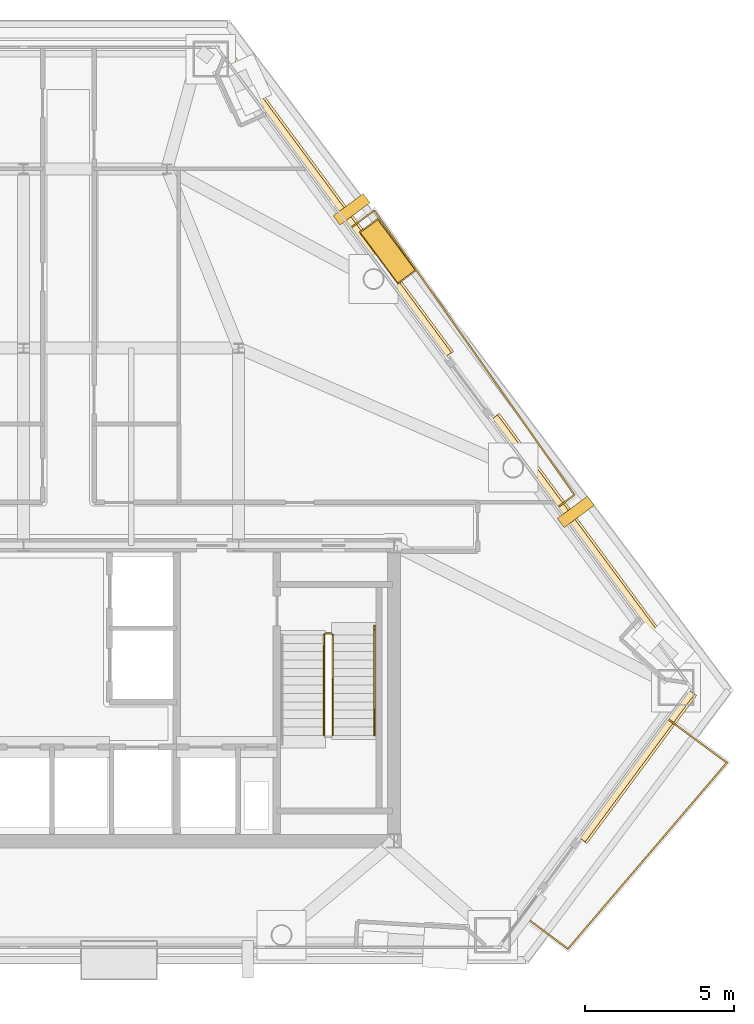
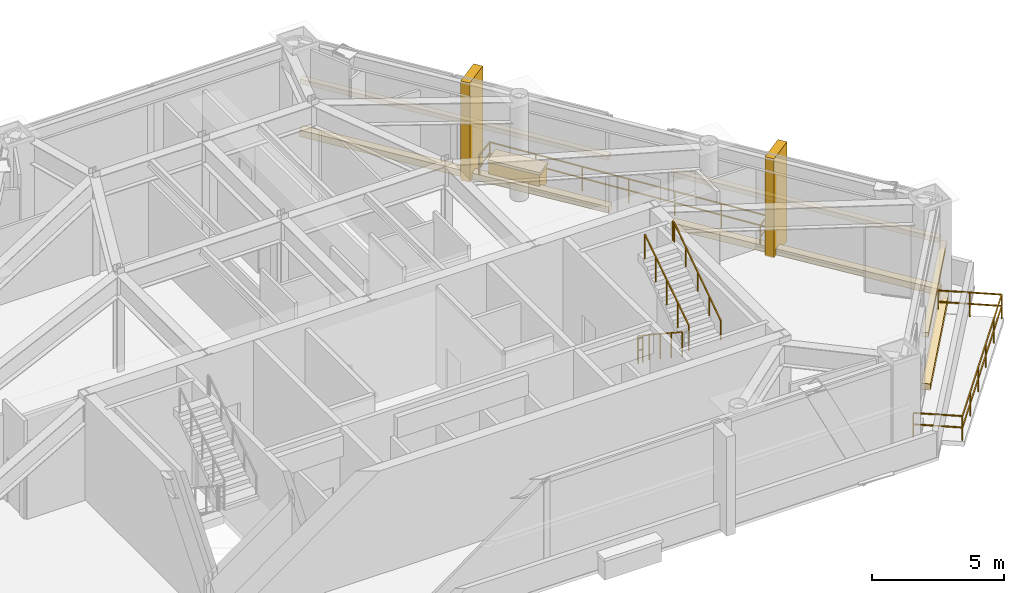
# One storey, part 9 of 9: 10 coverings, 6 railings.
"""IFC4 building model written with IfcOpenShell, lengths in metres."""

from ifc_helpers import new_model, si_unit, direction, frame, origin, origin_2d, place, context, subcontext, project, spatial, rectangle, extrude, material, layer, layer_set, type_object, element, save


model = new_model("IFC4")

# Units and contexts
model_context = context("Model", 3, precision=1e-05, world=origin(), true_north=direction((0.0, 1.0)))
body_context = subcontext(model_context, "Body", "Model", "MODEL_VIEW")
ifc_project = project(units=[si_unit("LENGTHUNIT", "METRE"), si_unit("AREAUNIT", "SQUARE_METRE"), si_unit("VOLUMEUNIT", "CUBIC_METRE"), si_unit("PLANEANGLEUNIT", "RADIAN"), si_unit("MASSUNIT", "GRAM", prefix="KILO")], contexts=[model_context])

# Site, building, storey
site_placement = place(None, origin())
site = spatial("IfcSite", under=ifc_project, at=site_placement, CompositionType="ELEMENT")
building_placement = place(site_placement, origin())
building = spatial("IfcBuilding", under=site, at=building_placement, Name="Talgorran Terracotta Tower", CompositionType="ELEMENT")
storey_placement = place(building_placement, frame((0.0, 0.0, 94.800048828125)))
storey = spatial("IfcBuildingStorey", under=building, at=storey_placement, Name="L24", CompositionType="ELEMENT", Elevation=94.800048828125)

# Coverings
ifc_material_1 = material(Name="Kiln-Fired Terracotta Ochre Ceramic", Category="masonry")
ifc_layer_1 = layer(ifc_material_1, 0.179931640625, Name="COV_BAGUETTE_TERRACOTTA_SCREEN")
ifc_layer_set_1 = layer_set([ifc_layer_1], Name="Kiln-Fired Terracotta Ochre Ceramic")
covering_type_1 = type_object("IfcCoveringType", Name="COV_BAGUETTE_TERRACOTTA_SCREEN", PredefinedType="CLADDING", material=ifc_layer_set_1)
covering_1_placement = place(storey_placement, frame((20.526611328125, -11.58056640625, 2.41015625), z_axis=(0.0, 0.0, 1.0), x_axis=(0.595173478841, 0.803597243702, 0.0)))
element("IfcCovering", 1, at=covering_1_placement, inside=storey, type_object=covering_type_1, Name="L24 Terracotta Baguette Solar Screen Assembly F31", PredefinedType="CLADDING", context=body_context, shape_type="SweptSolid", body=[
    extrude(rectangle(XDim=6.150390625, YDim=0.260009765625, at=origin_2d()), origin(), (0.0, 0.0, 1.0), 0.219970703125),
])
covering_2_placement = place(storey_placement, frame((19.060791015625, -4.363525390625, 2.41015625), z_axis=(0.0, 0.0, 1.0), x_axis=(-0.595173478841, 0.803597243702, 0.0)))
element("IfcCovering", 2, at=covering_2_placement, inside=storey, type_object=covering_type_1, Name="L24 Terracotta Baguette Solar Screen Assembly F40", PredefinedType="CLADDING", context=body_context, shape_type="SweptSolid", body=[
    extrude(rectangle(XDim=11.0751953125, YDim=0.260009765625, at=origin_2d()), origin(), (0.0, 0.0, 1.0), 0.219970703125),
])
covering_3_placement = place(storey_placement, frame((10.414306640625, 7.310791015625, 2.41015625), z_axis=(0.0, 0.0, 1.0), x_axis=(-0.595173478841, 0.803597243702, 0.0)))
element("IfcCovering", 3, at=covering_3_placement, inside=storey, type_object=covering_type_1, Name="L24 Terracotta Baguette Solar Screen Assembly F41", PredefinedType="CLADDING", context=body_context, shape_type="SweptSolid", body=[
    extrude(rectangle(XDim=12.780517578125, YDim=0.260009765625, at=origin_2d()), origin(), (0.0, 0.0, 1.0), 0.219970703125),
])
ifc_material_2 = material(Name="Honed Limestone and Terracotta Planter", Category="masonry")
ifc_layer_2 = layer(ifc_material_2, 0.1201171875, Name="COV_PLANTER_BOX")
ifc_layer_set_2 = layer_set([ifc_layer_2], Name="Honed Limestone and Terracotta Planter")
covering_type_2 = type_object("IfcCoveringType", Name="COV_PLANTER_BOX", PredefinedType="CLADDING", material=ifc_layer_set_2)
covering_4_placement = place(storey_placement, frame((12.1923828125, 5.640869140625, -0.02001953125), z_axis=(0.0, 0.0, 1.0), x_axis=(-0.595173478841, 0.803597243702, 0.0)))
element("IfcCovering", 4, at=covering_4_placement, inside=storey, type_object=covering_type_2, Name="L24 Staggered Balcony Planter Box BAL-NE", PredefinedType="CLADDING", context=body_context, shape_type="SweptSolid", body=[
    extrude(rectangle(XDim=2.10009765625, YDim=0.719970703125, at=origin_2d()), origin(), (0.0, 0.0, 1.0), 0.860107421875),
])
ifc_material_3 = material(Name="Kiln-Fired Terracotta Planter Rim", Category="masonry")
ifc_layer_3 = layer(ifc_material_3, 0.10009765625, Name="COV_PLANTER_RIM")
ifc_layer_set_3 = layer_set([ifc_layer_3], Name="Kiln-Fired Terracotta Planter Rim")
covering_type_3 = type_object("IfcCoveringType", Name="COV_PLANTER_RIM", PredefinedType="CLADDING", material=ifc_layer_set_3)
covering_5_placement = place(storey_placement, frame((12.1923828125, 5.640869140625, 0.7998046875), z_axis=(0.0, 0.0, 1.0), x_axis=(-0.595173478841, 0.803597243702, 0.0)))
element("IfcCovering", 5, at=covering_5_placement, inside=storey, type_object=covering_type_3, Name="L24 Balcony Planter Terracotta Rim BAL-NE", PredefinedType="CLADDING", context=body_context, shape_type="SweptSolid", body=[
    extrude(rectangle(XDim=2.179931640625, YDim=0.780029296875, at=origin_2d()), origin(), (0.0, 0.0, 1.0), 0.1201171875),
])
ifc_material_4 = material(Name="Honed Limestone Cladding", Category="masonry")
ifc_layer_4 = layer(ifc_material_4, 0.094970703125, Name="COV_PORTAL_LIME")
ifc_layer_set_4 = layer_set([ifc_layer_4], Name="Honed Limestone Cladding")
covering_type_4 = type_object("IfcCoveringType", Name="COV_PORTAL_LIME", PredefinedType="CLADDING", material=ifc_layer_set_4)
covering_6_placement = place(storey_placement, frame((20.55859375, -11.6044921875, -0.0400390625), z_axis=(0.0, 0.0, 1.0), x_axis=(0.595173478841, 0.803597243702, 0.0)))
element("IfcCovering", 6, at=covering_6_placement, inside=storey, type_object=covering_type_4, Name="L24 Striped Postmodern Portal Cladding Band F31", PredefinedType="CLADDING", context=body_context, shape_type="SweptSolid", body=[
    extrude(rectangle(XDim=6.17041015625, YDim=0.340087890625, at=origin_2d()), origin(), (0.0, 0.0, 1.0), 0.300048828125),
])
covering_7_placement = place(storey_placement, frame((19.093017578125, -4.33984375, -0.0400390625), z_axis=(0.0, 0.0, 1.0), x_axis=(-0.595173478841, 0.803597243702, 0.0)))
element("IfcCovering", 7, at=covering_7_placement, inside=storey, type_object=covering_type_4, Name="L24 Striped Postmodern Portal Cladding Band F40", PredefinedType="CLADDING", context=body_context, shape_type="SweptSolid", body=[
    extrude(rectangle(XDim=11.09521484375, YDim=0.340087890625, at=origin_2d()), origin(), (0.0, 0.0, 1.0), 0.300048828125),
])
covering_8_placement = place(storey_placement, frame((10.4462890625, 7.334716796875, -0.0400390625), z_axis=(0.0, 0.0, 1.0), x_axis=(-0.595173478841, 0.803597243702, 0.0)))
element("IfcCovering", 8, at=covering_8_placement, inside=storey, type_object=covering_type_4, Name="L24 Striped Postmodern Portal Cladding Band F41", PredefinedType="CLADDING", context=body_context, shape_type="SweptSolid", body=[
    extrude(rectangle(XDim=12.80029296875, YDim=0.340087890625, at=origin_2d()), origin(), (0.0, 0.0, 1.0), 0.300048828125),
])
covering_9_placement = place(storey_placement, frame((10.9814453125, 7.049072265625, -0.050048828125), z_axis=(0.0, 0.0, 1.0), x_axis=(-0.595173478841, 0.803597243702, 0.0)))
element("IfcCovering", 9, at=covering_9_placement, inside=storey, type_object=covering_type_4, Name="L24 White Striped Portal Fin F3-2", PredefinedType="CLADDING", context=body_context, shape_type="SweptSolid", body=[
    extrude(rectangle(XDim=0.3798828125, YDim=1.25, at=origin_2d()), origin(), (0.0, 0.0, 1.0), 4.60009765625),
])
ifc_material_5 = material(Name="Kiln-Fired Terracotta Cladding", Category="masonry")
ifc_layer_5 = layer(ifc_material_5, 0.090087890625, Name="COV_PORTAL_TERRA")
ifc_layer_set_5 = layer_set([ifc_layer_5], Name="Kiln-Fired Terracotta Cladding")
covering_type_5 = type_object("IfcCoveringType", Name="COV_PORTAL_TERRA", PredefinedType="CLADDING", material=ifc_layer_set_5)
covering_10_placement = place(storey_placement, frame((18.485107421875, -3.08251953125, -0.050048828125), z_axis=(0.0, 0.0, 1.0), x_axis=(-0.595173478841, 0.803597243702, 0.0)))
element("IfcCovering", 10, at=covering_10_placement, inside=storey, type_object=covering_type_5, Name="L24 Terracotta Striped Portal Fin F3-1", PredefinedType="CLADDING", context=body_context, shape_type="SweptSolid", body=[
    extrude(rectangle(XDim=0.3798828125, YDim=1.25, at=origin_2d()), origin(), (0.0, 0.0, 1.0), 4.60009765625),
])

# Railings
ifc_material_6 = material(Name="Laminated Glass and Stainless Steel 316", Category="steel")
railing_type_1 = type_object("IfcRailingType", Name="RL_BALCONY_1150", PredefinedType="BALUSTRADE", material=ifc_material_6)
railing_1_placement = place(storey_placement, frame((17.892822265625, -2.9208984375, 0.0)))
element("IfcRailing", 11, at=railing_1_placement, inside=storey, type_object=railing_type_1, Name="RL-L24-BAL-BAL-NE", PredefinedType="BALUSTRADE", context=body_context, shape_type="SweptSolid", body=[
    extrude(rectangle(XDim=0.048095703125, YDim=0.048095703125, at=origin_2d()), frame((0.0, 0.0, 1.1259765625), z_axis=(0.803664555938, 0.595082583789, 0.0), x_axis=(-0.595082583789, 0.803664555938, 0.0)), (0.0, 0.0, 1.0), 0.684814453125),
    extrude(rectangle(XDim=0.048095703125, YDim=0.048095703125, at=origin_2d()), frame((0.0, 0.0, 0.597900390625), z_axis=(0.803664555938, 0.595082583789, 0.0), x_axis=(-0.595082583789, 0.803664555938, 0.0)), (0.0, 0.0, 1.0), 0.684814453125),
    extrude(rectangle(XDim=0.048095703125, YDim=0.048095703125, at=origin_2d()), frame((0.55029296875, 0.407470703125, 1.1259765625), z_axis=(-0.575485098049, 0.817812265697, 0.0), x_axis=(-0.817812265697, -0.575485098049, 0.0)), (0.0, 0.0, 1.0), 11.646484375),
    extrude(rectangle(XDim=0.048095703125, YDim=0.048095703125, at=origin_2d()), frame((0.55029296875, 0.407470703125, 0.597900390625), z_axis=(-0.575485098049, 0.817812265697, 0.0), x_axis=(-0.817812265697, -0.575485098049, 0.0)), (0.0, 0.0, 1.0), 11.646484375),
    extrude(rectangle(XDim=0.048095703125, YDim=0.048095703125, at=origin_2d()), frame((-6.152099609375, 9.93212890625, 1.1259765625), z_axis=(-0.803588478834, -0.595185312895, 0.0), x_axis=(0.595185312895, -0.803588478834, 0.0)), (0.0, 0.0, 1.0), 0.967529296875),
    extrude(rectangle(XDim=0.048095703125, YDim=0.048095703125, at=origin_2d()), frame((-6.152099609375, 9.93212890625, 0.597900390625), z_axis=(-0.803588478834, -0.595185312895, 0.0), x_axis=(0.595185312895, -0.803588478834, 0.0)), (0.0, 0.0, 1.0), 0.967529296875),
    extrude(rectangle(XDim=0.0419921875, YDim=0.0419921875, at=origin_2d()), origin(), (0.0, 0.0, 1.0), 1.101806640625),
    extrude(rectangle(XDim=0.0419921875, YDim=0.0419921875, at=origin_2d()), frame((0.55029296875, 0.407470703125, 0.0)), (0.0, 0.0, 1.0), 1.101806640625),
    extrude(rectangle(XDim=0.0419921875, YDim=0.0419921875, at=origin_2d()), frame((-0.56689453125, 1.994873046875, 0.0)), (0.0, 0.0, 1.0), 1.101806640625),
    extrude(rectangle(XDim=0.0419921875, YDim=0.0419921875, at=origin_2d()), frame((-1.683837890625, 3.582275390625, 0.0)), (0.0, 0.0, 1.0), 1.101806640625),
    extrude(rectangle(XDim=0.0419921875, YDim=0.0419921875, at=origin_2d()), frame((-2.80078125, 5.169921875, 0.0)), (0.0, 0.0, 1.0), 1.101806640625),
    extrude(rectangle(XDim=0.0419921875, YDim=0.0419921875, at=origin_2d()), frame((-3.91796875, 6.75732421875, 0.0)), (0.0, 0.0, 1.0), 1.101806640625),
    extrude(rectangle(XDim=0.0419921875, YDim=0.0419921875, at=origin_2d()), frame((-5.03515625, 8.3447265625, 0.0)), (0.0, 0.0, 1.0), 1.101806640625),
    extrude(rectangle(XDim=0.0419921875, YDim=0.0419921875, at=origin_2d()), frame((-6.152099609375, 9.93212890625, 0.0)), (0.0, 0.0, 1.0), 1.101806640625),
    extrude(rectangle(XDim=0.0419921875, YDim=0.0419921875, at=origin_2d()), frame((-6.9296875, 9.356201171875, 0.0)), (0.0, 0.0, 1.0), 1.101806640625),
])
railing_2_placement = place(storey_placement, frame((16.7158203125, -16.591064453125, 0.0)))
element("IfcRailing", 12, at=railing_2_placement, inside=storey, type_object=railing_type_1, Name="RL-L24-BAL-BAL-SE", PredefinedType="BALUSTRADE", context=body_context, shape_type="SweptSolid", body=[
    extrude(rectangle(XDim=0.048095703125, YDim=0.048095703125, at=origin_2d()), frame((0.0, 0.0, 1.1259765625), z_axis=(0.803589435472, -0.595184021289, 0.0), x_axis=(0.595184021289, 0.803589435472, 0.0)), (0.0, 0.0, 1.0), 1.8779296875),
    extrude(rectangle(XDim=0.048095703125, YDim=0.048095703125, at=origin_2d()), frame((0.0, 0.0, 0.597900390625), z_axis=(0.803589435472, -0.595184021289, 0.0), x_axis=(0.595184021289, 0.803589435472, 0.0)), (0.0, 0.0, 1.0), 1.8779296875),
    extrude(rectangle(XDim=0.048095703125, YDim=0.048095703125, at=origin_2d()), frame((1.509033203125, -1.11767578125, 1.1259765625), z_axis=(0.64922663992, 0.760595010514, 0.0), x_axis=(-0.760595010514, 0.64922663992, 0.0)), (0.0, 0.0, 1.0), 8.192138671875),
    extrude(rectangle(XDim=0.048095703125, YDim=0.048095703125, at=origin_2d()), frame((1.509033203125, -1.11767578125, 0.597900390625), z_axis=(0.64922663992, 0.760595010514, 0.0), x_axis=(-0.760595010514, 0.64922663992, 0.0)), (0.0, 0.0, 1.0), 8.192138671875),
    extrude(rectangle(XDim=0.048095703125, YDim=0.048095703125, at=origin_2d()), frame((6.82763671875, 5.11328125, 1.1259765625), z_axis=(-0.803606755386, 0.595160636046, 0.0), x_axis=(-0.595160636046, -0.803606755386, 0.0)), (0.0, 0.0, 1.0), 2.443115234375),
    extrude(rectangle(XDim=0.048095703125, YDim=0.048095703125, at=origin_2d()), frame((6.82763671875, 5.11328125, 0.597900390625), z_axis=(-0.803606755386, 0.595160636046, 0.0), x_axis=(-0.595160636046, -0.803606755386, 0.0)), (0.0, 0.0, 1.0), 2.443115234375),
    extrude(rectangle(XDim=0.0419921875, YDim=0.0419921875, at=origin_2d()), origin(), (0.0, 0.0, 1.0), 1.101806640625),
    extrude(rectangle(XDim=0.0419921875, YDim=0.0419921875, at=origin_2d()), frame((1.509033203125, -1.11767578125, 0.0)), (0.0, 0.0, 1.0), 1.101806640625),
    extrude(rectangle(XDim=0.0419921875, YDim=0.0419921875, at=origin_2d()), frame((2.57275390625, 0.12841796875, 0.0)), (0.0, 0.0, 1.0), 1.101806640625),
    extrude(rectangle(XDim=0.0419921875, YDim=0.0419921875, at=origin_2d()), frame((3.636474609375, 1.374755859375, 0.0)), (0.0, 0.0, 1.0), 1.101806640625),
    extrude(rectangle(XDim=0.0419921875, YDim=0.0419921875, at=origin_2d()), frame((4.7001953125, 2.620849609375, 0.0)), (0.0, 0.0, 1.0), 1.101806640625),
    extrude(rectangle(XDim=0.0419921875, YDim=0.0419921875, at=origin_2d()), frame((5.763916015625, 3.8671875, 0.0)), (0.0, 0.0, 1.0), 1.101806640625),
    extrude(rectangle(XDim=0.0419921875, YDim=0.0419921875, at=origin_2d()), frame((6.82763671875, 5.11328125, 0.0)), (0.0, 0.0, 1.0), 1.101806640625),
    extrude(rectangle(XDim=0.0419921875, YDim=0.0419921875, at=origin_2d()), frame((5.845947265625, 5.84033203125, 0.0)), (0.0, 0.0, 1.0), 1.101806640625),
    extrude(rectangle(XDim=0.0419921875, YDim=0.0419921875, at=origin_2d()), frame((4.8642578125, 6.5673828125, 0.0)), (0.0, 0.0, 1.0), 1.101806640625),
])
ifc_material_7 = material(Name="Steel S355 (300PLUS)", Category="steel")
railing_type_2 = type_object("IfcRailingType", Name="RL_HANDRAIL_920", PredefinedType="HANDRAIL", material=ifc_material_7)
railing_3_placement = place(storey_placement, frame((11.75, -10.56005859375, 2.58447265625)))
element("IfcRailing", 13, at=railing_3_placement, inside=storey, type_object=railing_type_2, Name="L24 ST-02 stair handrail 2", PredefinedType="HANDRAIL", context=body_context, shape_type="SweptSolid", body=[
    extrude(rectangle(XDim=0.048095703125, YDim=0.048095703125, at=origin_2d()), frame((0.0, 0.0, 0.89599609375), z_axis=(0.0, 0.827695465973, 0.561177525929), x_axis=(-1.0, 0.0, 0.0)), (0.0, 0.0, 1.0), 4.277099609375),
    extrude(rectangle(XDim=0.048095703125, YDim=0.048095703125, at=origin_2d()), frame((0.0, 3.5400390625, 3.2958984375), z_axis=(0.0, 1.0, 0.0), x_axis=(-1.0, 0.0, 0.0)), (0.0, 0.0, 1.0), 0.1201171875),
    extrude(rectangle(XDim=0.0419921875, YDim=0.0419921875, at=origin_2d()), origin(), (0.0, 0.0, 1.0), 0.871826171875),
    extrude(rectangle(XDim=0.0419921875, YDim=0.0419921875, at=origin_2d()), frame((0.0, 0.885009765625, 0.60009765625)), (0.0, 0.0, 1.0), 0.871826171875),
    extrude(rectangle(XDim=0.0419921875, YDim=0.0419921875, at=origin_2d()), frame((0.0, 1.77001953125, 1.2001953125)), (0.0, 0.0, 1.0), 0.871826171875),
    extrude(rectangle(XDim=0.0419921875, YDim=0.0419921875, at=origin_2d()), frame((0.0, 2.655029296875, 1.800048828125)), (0.0, 0.0, 1.0), 0.871826171875),
    extrude(rectangle(XDim=0.0419921875, YDim=0.0419921875, at=origin_2d()), frame((0.0, 3.5400390625, 2.400146484375)), (0.0, 0.0, 1.0), 0.871826171875),
    extrude(rectangle(XDim=0.0419921875, YDim=0.0419921875, at=origin_2d()), frame((0.0, 3.66015625, 2.400146484375)), (0.0, 0.0, 1.0), 0.871826171875),
])
railing_type_3 = type_object("IfcRailingType", Name="RL_STAIR_GUARD", PredefinedType="GUARDRAIL", material=ifc_material_7)
railing_4_placement = place(storey_placement, frame((10.050048828125, -7.199951171875, 0.1845703125)))
element("IfcRailing", 14, at=railing_4_placement, inside=storey, type_object=railing_type_3, Name="L24 ST-02 stair guard 1", PredefinedType="GUARDRAIL", context=body_context, shape_type="SweptSolid", body=[
    extrude(rectangle(XDim=0.048095703125, YDim=0.048095703125, at=origin_2d()), frame((0.0, 0.0, 1.15576171875), z_axis=(0.0, -0.834876476806, 0.550437342915), x_axis=(1.0, 0.0, 0.0)), (0.0, 0.0, 1.0), 4.024658203125),
    extrude(rectangle(XDim=0.0419921875, YDim=0.0419921875, at=origin_2d()), origin(), (0.0, 0.0, 1.0), 1.1318359375),
    extrude(rectangle(XDim=0.0419921875, YDim=0.0419921875, at=origin_2d()), frame((0.0, -0.840087890625, 0.5537109375)), (0.0, 0.0, 1.0), 1.1318359375),
    extrude(rectangle(XDim=0.0419921875, YDim=0.0419921875, at=origin_2d()), frame((0.0, -1.68017578125, 1.107666015625)), (0.0, 0.0, 1.0), 1.1318359375),
    extrude(rectangle(XDim=0.0419921875, YDim=0.0419921875, at=origin_2d()), frame((0.0, -2.52001953125, 1.66162109375)), (0.0, 0.0, 1.0), 1.1318359375),
    extrude(rectangle(XDim=0.0419921875, YDim=0.0419921875, at=origin_2d()), frame((0.0, -3.360107421875, 2.21533203125)), (0.0, 0.0, 1.0), 1.1318359375),
])
railing_5_placement = place(storey_placement, frame((10.35009765625, -10.56005859375, 2.58447265625)))
element("IfcRailing", 15, at=railing_5_placement, inside=storey, type_object=railing_type_3, Name="L24 ST-02 stair guard 3", PredefinedType="GUARDRAIL", context=body_context, shape_type="SweptSolid", body=[
    extrude(rectangle(XDim=0.048095703125, YDim=0.048095703125, at=origin_2d()), frame((0.0, 0.0, 1.15576171875), z_axis=(0.0, 0.834848600103, 0.550479622607), x_axis=(-1.0, 0.0, 0.0)), (0.0, 0.0, 1.0), 4.02490234375),
    extrude(rectangle(XDim=0.0419921875, YDim=0.0419921875, at=origin_2d()), origin(), (0.0, 0.0, 1.0), 1.1318359375),
    extrude(rectangle(XDim=0.0419921875, YDim=0.0419921875, at=origin_2d()), frame((0.0, 0.840087890625, 0.553955078125)), (0.0, 0.0, 1.0), 1.1318359375),
    extrude(rectangle(XDim=0.0419921875, YDim=0.0419921875, at=origin_2d()), frame((0.0, 1.68017578125, 1.10791015625)), (0.0, 0.0, 1.0), 1.1318359375),
    extrude(rectangle(XDim=0.0419921875, YDim=0.0419921875, at=origin_2d()), frame((0.0, 2.52001953125, 1.66162109375)), (0.0, 0.0, 1.0), 1.1318359375),
    extrude(rectangle(XDim=0.0419921875, YDim=0.0419921875, at=origin_2d()), frame((0.0, 3.360107421875, 2.215576171875)), (0.0, 0.0, 1.0), 1.1318359375),
])
railing_6_placement = place(storey_placement, frame((10.10009765625, -7.14990234375, 0.0)))
element("IfcRailing", 16, at=railing_6_placement, inside=storey, type_object=railing_type_3, Name="L24 ST-02 stair guard 4", PredefinedType="GUARDRAIL", context=body_context, shape_type="SweptSolid", body=[
    extrude(rectangle(XDim=0.048095703125, YDim=0.048095703125, at=origin_2d()), frame((0.0, 0.0, 1.15576171875), z_axis=(1.0, 0.0, 0.0), x_axis=(0.0, 1.0, 0.0)), (0.0, 0.0, 1.0), 0.199951171875),
    extrude(rectangle(XDim=0.048095703125, YDim=0.048095703125, at=origin_2d()), frame((0.0, 0.0, 0.613525390625), z_axis=(1.0, 0.0, 0.0), x_axis=(0.0, 1.0, 0.0)), (0.0, 0.0, 1.0), 0.199951171875),
    extrude(rectangle(XDim=0.0419921875, YDim=0.0419921875, at=origin_2d()), origin(), (0.0, 0.0, 1.0), 1.1318359375),
    extrude(rectangle(XDim=0.0419921875, YDim=0.0419921875, at=origin_2d()), frame((0.199951171875, 0.0, 0.0)), (0.0, 0.0, 1.0), 1.1318359375),
])

save(model, "model.ifc")
